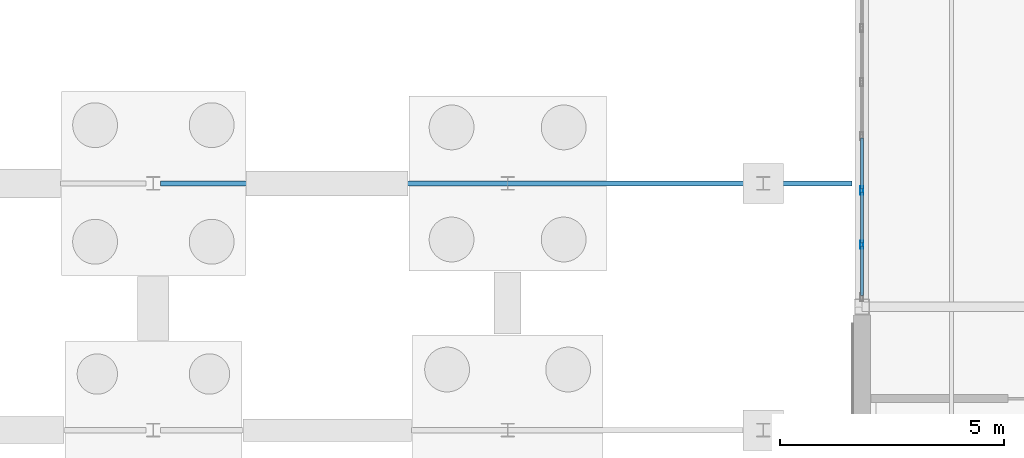
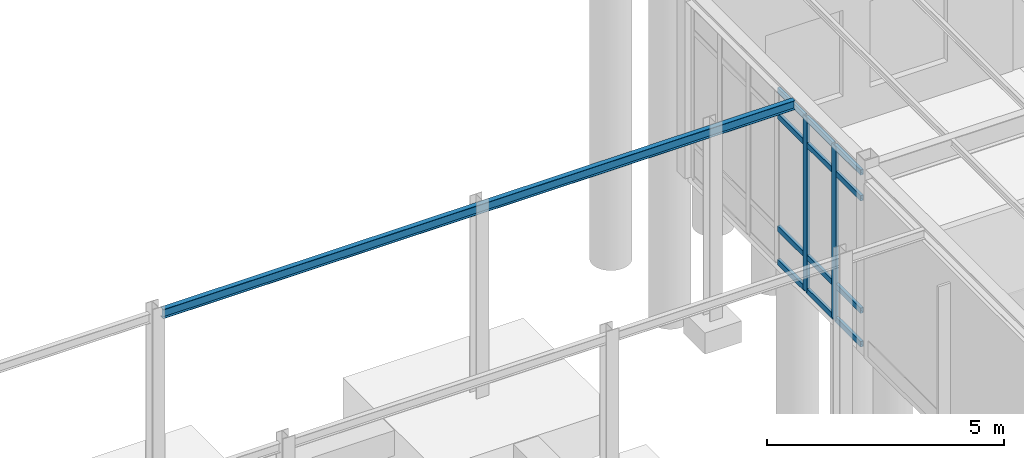
# One storey, part 67 of 109: 14 members, 1 beam, 1 element without a shape of its own.
"""IFC4 building model written with IfcOpenShell, lengths in metres."""

from ifc_helpers import new_model, si_unit, direction, frame, origin, origin_2d, place, context, subcontext, project, spatial, hollow_rectangle, i_section, extrude, material, layer, layer_set, material_profile, profile_set, type_object, element, aggregate, save


model = new_model("IFC4")

# Units and contexts
model_context = context("Model", 3, precision=1e-05, world=origin(), true_north=direction((0.0, 1.0)))
body_context = subcontext(model_context, "Body", "Model", "MODEL_VIEW")
ifc_project = project(units=[si_unit("LENGTHUNIT", "METRE"), si_unit("AREAUNIT", "SQUARE_METRE"), si_unit("VOLUMEUNIT", "CUBIC_METRE"), si_unit("PLANEANGLEUNIT", "RADIAN"), si_unit("MASSUNIT", "GRAM", prefix="KILO")], contexts=[model_context])

# Site, building, storey
site_placement = place(None, origin())
site = spatial("IfcSite", under=ifc_project, at=site_placement, CompositionType="ELEMENT")
building_placement = place(site_placement, origin())
building = spatial("IfcBuilding", under=site, at=building_placement, Name="Montecoro Central Library", CompositionType="ELEMENT")
storey_placement = place(building_placement, origin())
storey = spatial("IfcBuildingStorey", under=building, at=storey_placement, Name="L00", CompositionType="ELEMENT", Elevation=0.0)

# Beam
ifc_material_1 = material(Name="Steel S355", Category="steel")
ifc_material_profile_1 = material_profile(ifc_material_1, i_section(OverallWidth=0.1201171875, OverallDepth=0.239990234375, WebThickness=0.006103515625, FlangeThickness=0.009765625, at=origin_2d()), Name="IPE 240")
ifc_profile_set_1 = profile_set([ifc_material_profile_1], Name="Steel S355")
beam_type = type_object("IfcBeamType", Name="BM-SP-IPE240", PredefinedType="SPANDREL", material=ifc_profile_set_1)
beam_placement = place(storey_placement, frame((125.360107421875, 38.14990234375, 4.794921875), z_axis=(1.0, 0.0, 0.0), x_axis=(0.0, 1.0, 0.0)))
element("IfcBeam", 1, at=beam_placement, inside=storey, type_object=beam_type, Name="BR-SE-L01-BM-N2", PredefinedType="SPANDREL", context=body_context, shape_type="SweptSolid", body=[
    extrude(i_section(OverallWidth=0.1201171875, OverallDepth=0.239990234375, WebThickness=0.006103515625, FlangeThickness=0.009765625, at=origin_2d()), origin(), (0.0, 0.0, 1.0), 15.419921875),
])

# Curtain wall, members
ifc_material_2 = material(Name="Bronze-anodised aluminium and low-E glazing", Category="aluminium")
ifc_layer = layer(ifc_material_2, 0.159912109375)
ifc_layer_set = layer_set([ifc_layer], Name="Bronze-anodised aluminium and low-E glazing")
curtain_wall_type = type_object("IfcCurtainWallType", Name="CWT-059", PredefinedType="NOTDEFINED", material=ifc_layer_set)
curtain_wall_placement = place(storey_placement, origin())
curtain_wall = element("IfcCurtainWall", 2, at=curtain_wall_placement, inside=storey, type_object=curtain_wall_type, Name="V6-L00-CW-W4", PredefinedType="NOTDEFINED")
ifc_material_3 = material(Name="Bronze-anodised aluminium", Category="aluminium")
ifc_material_profile_2 = material_profile(ifc_material_3, hollow_rectangle(XDim=0.070068359375, YDim=0.179931640625, WallThickness=0.0048828125, at=origin_2d()), Name="CWM 180x70x5.0")
ifc_profile_set_2 = profile_set([ifc_material_profile_2], Name="Bronze-anodised aluminium")
member_type_1 = type_object("IfcMemberType", Name="CWM-BRZ-70", PredefinedType="MULLION", material=ifc_profile_set_2)
member_1_placement = place(storey_placement, frame((141.0, 37.99267578125, 0.0), z_axis=(0.0, 0.0, 1.0), x_axis=(1.0, 0.0, 0.0)))
member_1 = element("IfcMember", 3, at=member_1_placement, type_object=member_type_1, Name="CW-059 mullion 5", PredefinedType="MULLION", context=body_context, shape_type="SweptSolid", body=[
    extrude(hollow_rectangle(XDim=0.070068359375, YDim=0.179931640625, WallThickness=0.0048828125, at=origin_2d()), origin(), (0.0, 0.0, 1.0), 4.5),
])
member_2_placement = place(storey_placement, frame((141.0, 36.785400390625, 0.0), z_axis=(0.0, 0.0, 1.0), x_axis=(1.0, 0.0, 0.0)))
member_2 = element("IfcMember", 4, at=member_2_placement, type_object=member_type_1, Name="CW-059 mullion 6", PredefinedType="MULLION", context=body_context, shape_type="SweptSolid", body=[
    extrude(hollow_rectangle(XDim=0.070068359375, YDim=0.179931640625, WallThickness=0.0048828125, at=origin_2d()), origin(), (0.0, 0.0, 1.0), 4.5),
])
ifc_material_profile_3 = material_profile(ifc_material_3, hollow_rectangle(XDim=0.070068359375, YDim=0.139892578125, WallThickness=0.00390625, at=origin_2d()), Name="CWT 140x70x4.0")
ifc_profile_set_3 = profile_set([ifc_material_profile_3], Name="Bronze-anodised aluminium")
member_type_2 = type_object("IfcMemberType", Name="CWT-BRZ-70", PredefinedType="USERDEFINED", material=ifc_profile_set_3)
member_3_placement = place(storey_placement, frame((141.0, 39.1650390625, 0.034912109375), z_axis=(0.0, -1.0, 0.0), x_axis=(1.0, 0.0, 0.0)))
member_3 = element("IfcMember", 5, at=member_3_placement, type_object=member_type_2, Name="CW-059 transom 4.1", ObjectType="TRANSOM", PredefinedType="USERDEFINED", context=body_context, shape_type="SweptSolid", body=[
    extrude(hollow_rectangle(XDim=0.070068359375, YDim=0.139892578125, WallThickness=0.00390625, at=origin_2d()), origin(), (0.0, 0.0, 1.0), 1.137451171875),
])
member_4_placement = place(storey_placement, frame((141.0, 39.1650390625, 0.89990234375), z_axis=(0.0, -1.0, 0.0), x_axis=(1.0, 0.0, 0.0)))
member_4 = element("IfcMember", 6, at=member_4_placement, type_object=member_type_2, Name="CW-059 transom 4.2", ObjectType="TRANSOM", PredefinedType="USERDEFINED", context=body_context, shape_type="SweptSolid", body=[
    extrude(hollow_rectangle(XDim=0.070068359375, YDim=0.139892578125, WallThickness=0.00390625, at=origin_2d()), origin(), (0.0, 0.0, 1.0), 1.137451171875),
])
member_5_placement = place(storey_placement, frame((141.0, 39.1650390625, 3.800048828125), z_axis=(0.0, -1.0, 0.0), x_axis=(1.0, 0.0, 0.0)))
member_5 = element("IfcMember", 7, at=member_5_placement, type_object=member_type_2, Name="CW-059 transom 4.3", ObjectType="TRANSOM", PredefinedType="USERDEFINED", context=body_context, shape_type="SweptSolid", body=[
    extrude(hollow_rectangle(XDim=0.070068359375, YDim=0.139892578125, WallThickness=0.00390625, at=origin_2d()), origin(), (0.0, 0.0, 1.0), 1.137451171875),
])
member_6_placement = place(storey_placement, frame((141.0, 39.1650390625, 4.465087890625), z_axis=(0.0, -1.0, 0.0), x_axis=(1.0, 0.0, 0.0)))
member_6 = element("IfcMember", 8, at=member_6_placement, type_object=member_type_2, Name="CW-059 transom 4.4", ObjectType="TRANSOM", PredefinedType="USERDEFINED", context=body_context, shape_type="SweptSolid", body=[
    extrude(hollow_rectangle(XDim=0.070068359375, YDim=0.139892578125, WallThickness=0.00390625, at=origin_2d()), origin(), (0.0, 0.0, 1.0), 1.137451171875),
])
member_7_placement = place(storey_placement, frame((141.0, 37.957763671875, 0.034912109375), z_axis=(0.0, -1.0, 0.0), x_axis=(1.0, 0.0, 0.0)))
member_7 = element("IfcMember", 9, at=member_7_placement, type_object=member_type_2, Name="CW-059 transom 5.1", ObjectType="TRANSOM", PredefinedType="USERDEFINED", context=body_context, shape_type="SweptSolid", body=[
    extrude(hollow_rectangle(XDim=0.070068359375, YDim=0.139892578125, WallThickness=0.00390625, at=origin_2d()), origin(), (0.0, 0.0, 1.0), 1.137451171875),
])
member_8_placement = place(storey_placement, frame((141.0, 37.957763671875, 0.89990234375), z_axis=(0.0, -1.0, 0.0), x_axis=(1.0, 0.0, 0.0)))
member_8 = element("IfcMember", 10, at=member_8_placement, type_object=member_type_2, Name="CW-059 transom 5.2", ObjectType="TRANSOM", PredefinedType="USERDEFINED", context=body_context, shape_type="SweptSolid", body=[
    extrude(hollow_rectangle(XDim=0.070068359375, YDim=0.139892578125, WallThickness=0.00390625, at=origin_2d()), origin(), (0.0, 0.0, 1.0), 1.137451171875),
])
member_9_placement = place(storey_placement, frame((141.0, 37.957763671875, 3.800048828125), z_axis=(0.0, -1.0, 0.0), x_axis=(1.0, 0.0, 0.0)))
member_9 = element("IfcMember", 11, at=member_9_placement, type_object=member_type_2, Name="CW-059 transom 5.3", ObjectType="TRANSOM", PredefinedType="USERDEFINED", context=body_context, shape_type="SweptSolid", body=[
    extrude(hollow_rectangle(XDim=0.070068359375, YDim=0.139892578125, WallThickness=0.00390625, at=origin_2d()), origin(), (0.0, 0.0, 1.0), 1.137451171875),
])
member_10_placement = place(storey_placement, frame((141.0, 37.957763671875, 4.465087890625), z_axis=(0.0, -1.0, 0.0), x_axis=(1.0, 0.0, 0.0)))
member_10 = element("IfcMember", 12, at=member_10_placement, type_object=member_type_2, Name="CW-059 transom 5.4", ObjectType="TRANSOM", PredefinedType="USERDEFINED", context=body_context, shape_type="SweptSolid", body=[
    extrude(hollow_rectangle(XDim=0.070068359375, YDim=0.139892578125, WallThickness=0.00390625, at=origin_2d()), origin(), (0.0, 0.0, 1.0), 1.137451171875),
])
member_11_placement = place(storey_placement, frame((141.0, 36.750244140625, 0.034912109375), z_axis=(0.0, -1.0, 0.0), x_axis=(1.0, 0.0, 0.0)))
member_11 = element("IfcMember", 13, at=member_11_placement, type_object=member_type_2, Name="CW-059 transom 6.1", ObjectType="TRANSOM", PredefinedType="USERDEFINED", context=body_context, shape_type="SweptSolid", body=[
    extrude(hollow_rectangle(XDim=0.070068359375, YDim=0.139892578125, WallThickness=0.00390625, at=origin_2d()), origin(), (0.0, 0.0, 1.0), 1.102294921875),
])
member_12_placement = place(storey_placement, frame((141.0, 36.750244140625, 0.89990234375), z_axis=(0.0, -1.0, 0.0), x_axis=(1.0, 0.0, 0.0)))
member_12 = element("IfcMember", 14, at=member_12_placement, type_object=member_type_2, Name="CW-059 transom 6.2", ObjectType="TRANSOM", PredefinedType="USERDEFINED", context=body_context, shape_type="SweptSolid", body=[
    extrude(hollow_rectangle(XDim=0.070068359375, YDim=0.139892578125, WallThickness=0.00390625, at=origin_2d()), origin(), (0.0, 0.0, 1.0), 1.102294921875),
])
member_13_placement = place(storey_placement, frame((141.0, 36.750244140625, 3.800048828125), z_axis=(0.0, -1.0, 0.0), x_axis=(1.0, 0.0, 0.0)))
member_13 = element("IfcMember", 15, at=member_13_placement, type_object=member_type_2, Name="CW-059 transom 6.3", ObjectType="TRANSOM", PredefinedType="USERDEFINED", context=body_context, shape_type="SweptSolid", body=[
    extrude(hollow_rectangle(XDim=0.070068359375, YDim=0.139892578125, WallThickness=0.00390625, at=origin_2d()), origin(), (0.0, 0.0, 1.0), 1.102294921875),
])
member_14_placement = place(storey_placement, frame((141.0, 36.750244140625, 4.465087890625), z_axis=(0.0, -1.0, 0.0), x_axis=(1.0, 0.0, 0.0)))
member_14 = element("IfcMember", 16, at=member_14_placement, type_object=member_type_2, Name="CW-059 transom 6.4", ObjectType="TRANSOM", PredefinedType="USERDEFINED", context=body_context, shape_type="SweptSolid", body=[
    extrude(hollow_rectangle(XDim=0.070068359375, YDim=0.139892578125, WallThickness=0.00390625, at=origin_2d()), origin(), (0.0, 0.0, 1.0), 1.102294921875),
])
aggregate(curtain_wall, [member_1, member_2, member_3, member_4, member_5, member_6, member_7, member_8, member_9, member_10, member_11, member_12, member_13, member_14])

save(model, "model.ifc")
